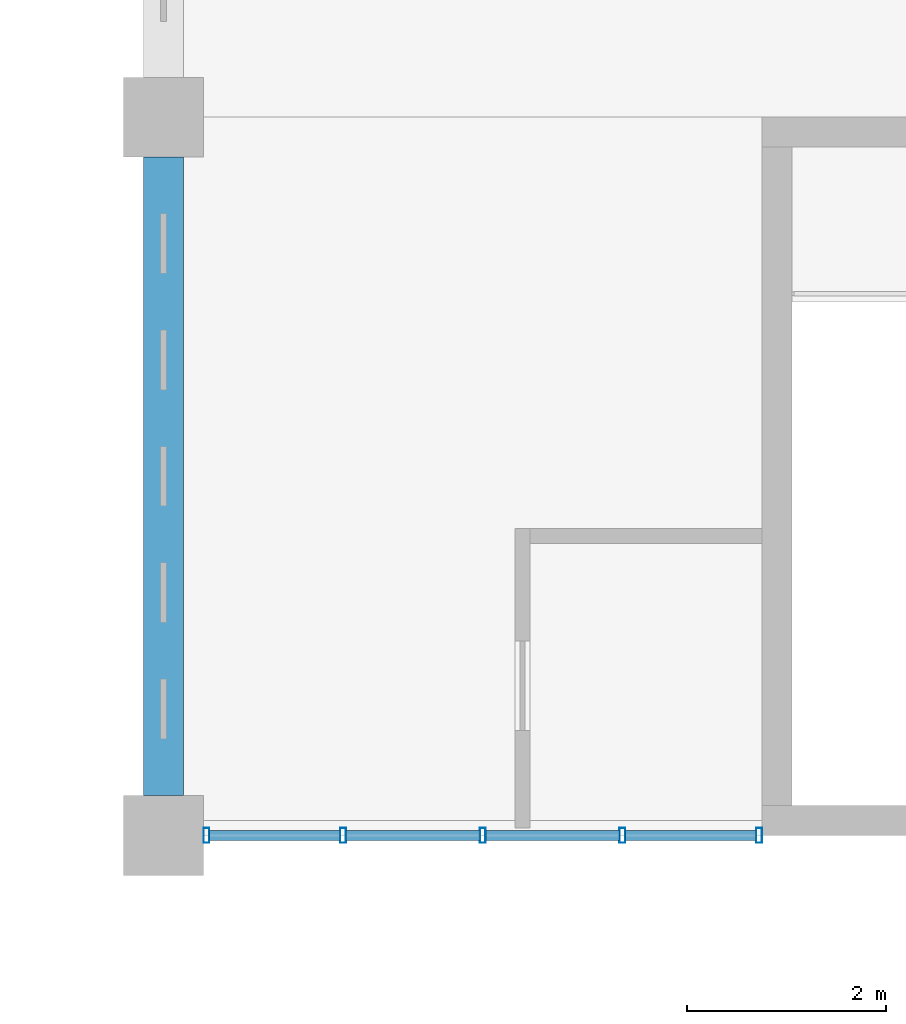
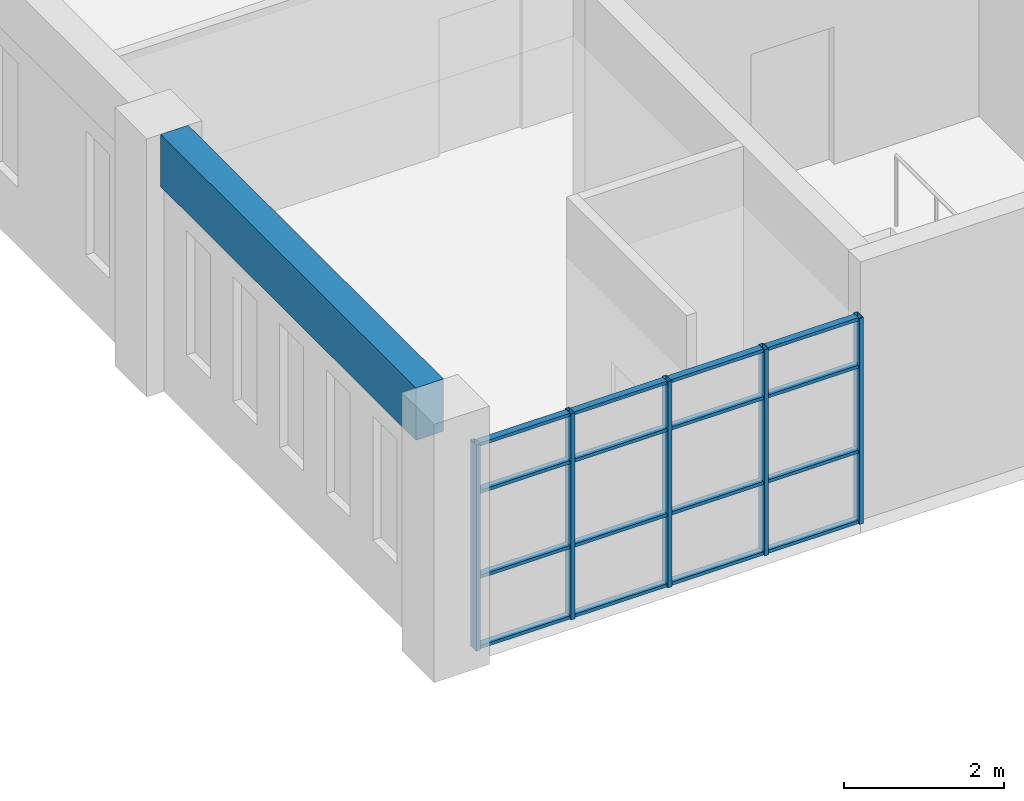
# One storey, part 3 of 51: 21 members, 1 beam, 1 element without a shape of its own.
"""IFC4 building model written with IfcOpenShell, lengths in metres."""

from ifc_helpers import new_model, si_unit, direction, frame, origin, origin_2d, place, context, subcontext, project, spatial, rectangle, hollow_rectangle, extrude, material, material_profile, profile_set, type_object, element, aggregate, save


model = new_model("IFC4")

# Units and contexts
model_context = context("Model", 3, precision=1e-05, world=origin(), true_north=direction((0.0, 1.0)))
body_context = subcontext(model_context, "Body", "Model", "MODEL_VIEW")
ifc_project = project(units=[si_unit("LENGTHUNIT", "METRE"), si_unit("AREAUNIT", "SQUARE_METRE"), si_unit("VOLUMEUNIT", "CUBIC_METRE"), si_unit("PLANEANGLEUNIT", "RADIAN"), si_unit("MASSUNIT", "GRAM", prefix="KILO")], contexts=[model_context])

# Site, building, storey
site_placement = place(None, origin())
site = spatial("IfcSite", under=ifc_project, at=site_placement, CompositionType="ELEMENT")
building_placement = place(site_placement, origin())
building = spatial("IfcBuilding", under=site, at=building_placement, Name="Laocheng Heights Fire and Rescue Headquarters", CompositionType="ELEMENT")
storey_placement = place(building_placement, frame((0.0, 0.0, 21.0)))
storey = spatial("IfcBuildingStorey", under=building, at=storey_placement, Name="L05", CompositionType="ELEMENT", Elevation=21.0)

# Curtain wall, members
ifc_material_1 = material(Name="Dark anodised aluminium unitised curtain wall, low-e double glazing", Category="aluminium")
curtain_wall_type = type_object("IfcCurtainWallType", Name="CW 5600 x 3150 HQ SOUTH RIBBON", PredefinedType="NOTDEFINED", material=ifc_material_1)
curtain_wall_placement = place(storey_placement, origin())
curtain_wall = element("IfcCurtainWall", 1, at=curtain_wall_placement, inside=storey, type_object=curtain_wall_type, Name="X14-X HQ SOUTH L05", PredefinedType="NOTDEFINED")
ifc_material_2 = material(Name="Dark anodised aluminium 6063-T5 extrusion", Category="aluminium")
ifc_material_profile_1 = material_profile(ifc_material_2, hollow_rectangle(XDim=0.14990234375, YDim=0.06005859375, WallThickness=0.0029296875, at=origin_2d()), Name="AL MULLION 150x60x3 HQ SOUTH RIBBON")
ifc_profile_set_1 = profile_set([ifc_material_profile_1], Name="Dark anodised aluminium 6063-T5 extrusion")
member_type_1 = type_object("IfcMemberType", Name="AL MULLION 150x60x3 HQ SOUTH RIBBON", PredefinedType="MULLION", material=ifc_profile_set_1)
member_1_placement = place(storey_placement, frame((36.429931640625, 50.39990234375, 0.0), z_axis=(0.0, 0.0, 1.0), x_axis=(0.0, 1.0, 0.0)))
member_1 = element("IfcMember", 2, at=member_1_placement, type_object=member_type_1, Name="X14-X mullion 1", PredefinedType="MULLION", context=body_context, shape_type="SweptSolid", body=[
    extrude(hollow_rectangle(XDim=0.14990234375, YDim=0.06005859375, WallThickness=0.0029296875, at=origin_2d()), origin(), (0.0, 0.0, 1.0), 3.14990234375),
])
member_2_placement = place(storey_placement, frame((37.800048828125, 50.39990234375, 0.0), z_axis=(0.0, 0.0, 1.0), x_axis=(0.0, 1.0, 0.0)))
member_2 = element("IfcMember", 3, at=member_2_placement, type_object=member_type_1, Name="X14-X mullion 2", PredefinedType="MULLION", context=body_context, shape_type="SweptSolid", body=[
    extrude(hollow_rectangle(XDim=0.14990234375, YDim=0.06005859375, WallThickness=0.0029296875, at=origin_2d()), origin(), (0.0, 0.0, 1.0), 3.14990234375),
])
member_3_placement = place(storey_placement, frame((39.199951171875, 50.39990234375, 0.0), z_axis=(0.0, 0.0, 1.0), x_axis=(0.0, 1.0, 0.0)))
member_3 = element("IfcMember", 4, at=member_3_placement, type_object=member_type_1, Name="X14-X mullion 3", PredefinedType="MULLION", context=body_context, shape_type="SweptSolid", body=[
    extrude(hollow_rectangle(XDim=0.14990234375, YDim=0.06005859375, WallThickness=0.0029296875, at=origin_2d()), origin(), (0.0, 0.0, 1.0), 3.14990234375),
])
member_4_placement = place(storey_placement, frame((40.60009765625, 50.39990234375, 0.0), z_axis=(0.0, 0.0, 1.0), x_axis=(0.0, 1.0, 0.0)))
member_4 = element("IfcMember", 5, at=member_4_placement, type_object=member_type_1, Name="X14-X mullion 4", PredefinedType="MULLION", context=body_context, shape_type="SweptSolid", body=[
    extrude(hollow_rectangle(XDim=0.14990234375, YDim=0.06005859375, WallThickness=0.0029296875, at=origin_2d()), origin(), (0.0, 0.0, 1.0), 3.14990234375),
])
member_5_placement = place(storey_placement, frame((41.969970703125, 50.39990234375, 0.0), z_axis=(0.0, 0.0, 1.0), x_axis=(0.0, 1.0, 0.0)))
member_5 = element("IfcMember", 6, at=member_5_placement, type_object=member_type_1, Name="X14-X mullion 5", PredefinedType="MULLION", context=body_context, shape_type="SweptSolid", body=[
    extrude(hollow_rectangle(XDim=0.14990234375, YDim=0.06005859375, WallThickness=0.0029296875, at=origin_2d()), origin(), (0.0, 0.0, 1.0), 3.14990234375),
])
ifc_material_3 = material(Name="Dark anodised aluminium 6063-T5 extrusion", Category="aluminium")
ifc_material_profile_2 = material_profile(ifc_material_3, hollow_rectangle(XDim=0.10009765625, YDim=0.050048828125, WallThickness=0.0029296875, at=origin_2d()), Name="AL TRANSOM 100x50x3 HQ SOUTH RIBBON")
ifc_profile_set_2 = profile_set([ifc_material_profile_2], Name="Dark anodised aluminium 6063-T5 extrusion")
member_type_2 = type_object("IfcMemberType", Name="AL TRANSOM 100x50x3 HQ SOUTH RIBBON", PredefinedType="USERDEFINED", material=ifc_profile_set_2)
member_6_placement = place(storey_placement, frame((36.4599609375, 50.39990234375, 0.02490234375), z_axis=(1.0, 0.0, 0.0), x_axis=(0.0, 1.0, 0.0)))
member_6 = element("IfcMember", 7, at=member_6_placement, type_object=member_type_2, Name="X14-X transom 1.1", ObjectType="TRANSOM", PredefinedType="USERDEFINED", context=body_context, shape_type="SweptSolid", body=[
    extrude(hollow_rectangle(XDim=0.10009765625, YDim=0.050048828125, WallThickness=0.0029296875, at=origin_2d()), origin(), (0.0, 0.0, 1.0), 1.31005859375),
])
member_7_placement = place(storey_placement, frame((36.4599609375, 50.39990234375, 1.10009765625), z_axis=(1.0, 0.0, 0.0), x_axis=(0.0, 1.0, 0.0)))
member_7 = element("IfcMember", 8, at=member_7_placement, type_object=member_type_2, Name="X14-X transom 1.2", ObjectType="TRANSOM", PredefinedType="USERDEFINED", context=body_context, shape_type="SweptSolid", body=[
    extrude(hollow_rectangle(XDim=0.10009765625, YDim=0.050048828125, WallThickness=0.0029296875, at=origin_2d()), origin(), (0.0, 0.0, 1.0), 1.31005859375),
])
member_8_placement = place(storey_placement, frame((36.4599609375, 50.39990234375, 2.39990234375), z_axis=(1.0, 0.0, 0.0), x_axis=(0.0, 1.0, 0.0)))
member_8 = element("IfcMember", 9, at=member_8_placement, type_object=member_type_2, Name="X14-X transom 1.3", ObjectType="TRANSOM", PredefinedType="USERDEFINED", context=body_context, shape_type="SweptSolid", body=[
    extrude(hollow_rectangle(XDim=0.10009765625, YDim=0.050048828125, WallThickness=0.0029296875, at=origin_2d()), origin(), (0.0, 0.0, 1.0), 1.31005859375),
])
member_9_placement = place(storey_placement, frame((36.4599609375, 50.39990234375, 3.125), z_axis=(1.0, 0.0, 0.0), x_axis=(0.0, 1.0, 0.0)))
member_9 = element("IfcMember", 10, at=member_9_placement, type_object=member_type_2, Name="X14-X transom 1.4", ObjectType="TRANSOM", PredefinedType="USERDEFINED", context=body_context, shape_type="SweptSolid", body=[
    extrude(hollow_rectangle(XDim=0.10009765625, YDim=0.050048828125, WallThickness=0.0029296875, at=origin_2d()), origin(), (0.0, 0.0, 1.0), 1.31005859375),
])
member_10_placement = place(storey_placement, frame((37.830078125, 50.39990234375, 0.02490234375), z_axis=(1.0, 0.0, 0.0), x_axis=(0.0, 1.0, 0.0)))
member_10 = element("IfcMember", 11, at=member_10_placement, type_object=member_type_2, Name="X14-X transom 2.1", ObjectType="TRANSOM", PredefinedType="USERDEFINED", context=body_context, shape_type="SweptSolid", body=[
    extrude(hollow_rectangle(XDim=0.10009765625, YDim=0.050048828125, WallThickness=0.0029296875, at=origin_2d()), origin(), (0.0, 0.0, 1.0), 1.33984375),
])
member_11_placement = place(storey_placement, frame((37.830078125, 50.39990234375, 1.10009765625), z_axis=(1.0, 0.0, 0.0), x_axis=(0.0, 1.0, 0.0)))
member_11 = element("IfcMember", 12, at=member_11_placement, type_object=member_type_2, Name="X14-X transom 2.2", ObjectType="TRANSOM", PredefinedType="USERDEFINED", context=body_context, shape_type="SweptSolid", body=[
    extrude(hollow_rectangle(XDim=0.10009765625, YDim=0.050048828125, WallThickness=0.0029296875, at=origin_2d()), origin(), (0.0, 0.0, 1.0), 1.33984375),
])
member_12_placement = place(storey_placement, frame((37.830078125, 50.39990234375, 2.39990234375), z_axis=(1.0, 0.0, 0.0), x_axis=(0.0, 1.0, 0.0)))
member_12 = element("IfcMember", 13, at=member_12_placement, type_object=member_type_2, Name="X14-X transom 2.3", ObjectType="TRANSOM", PredefinedType="USERDEFINED", context=body_context, shape_type="SweptSolid", body=[
    extrude(hollow_rectangle(XDim=0.10009765625, YDim=0.050048828125, WallThickness=0.0029296875, at=origin_2d()), origin(), (0.0, 0.0, 1.0), 1.33984375),
])
member_13_placement = place(storey_placement, frame((37.830078125, 50.39990234375, 3.125), z_axis=(1.0, 0.0, 0.0), x_axis=(0.0, 1.0, 0.0)))
member_13 = element("IfcMember", 14, at=member_13_placement, type_object=member_type_2, Name="X14-X transom 2.4", ObjectType="TRANSOM", PredefinedType="USERDEFINED", context=body_context, shape_type="SweptSolid", body=[
    extrude(hollow_rectangle(XDim=0.10009765625, YDim=0.050048828125, WallThickness=0.0029296875, at=origin_2d()), origin(), (0.0, 0.0, 1.0), 1.33984375),
])
member_14_placement = place(storey_placement, frame((39.22998046875, 50.39990234375, 0.02490234375), z_axis=(1.0, 0.0, 0.0), x_axis=(0.0, 1.0, 0.0)))
member_14 = element("IfcMember", 15, at=member_14_placement, type_object=member_type_2, Name="X14-X transom 3.1", ObjectType="TRANSOM", PredefinedType="USERDEFINED", context=body_context, shape_type="SweptSolid", body=[
    extrude(hollow_rectangle(XDim=0.10009765625, YDim=0.050048828125, WallThickness=0.0029296875, at=origin_2d()), origin(), (0.0, 0.0, 1.0), 1.340087890625),
])
member_15_placement = place(storey_placement, frame((39.22998046875, 50.39990234375, 1.10009765625), z_axis=(1.0, 0.0, 0.0), x_axis=(0.0, 1.0, 0.0)))
member_15 = element("IfcMember", 16, at=member_15_placement, type_object=member_type_2, Name="X14-X transom 3.2", ObjectType="TRANSOM", PredefinedType="USERDEFINED", context=body_context, shape_type="SweptSolid", body=[
    extrude(hollow_rectangle(XDim=0.10009765625, YDim=0.050048828125, WallThickness=0.0029296875, at=origin_2d()), origin(), (0.0, 0.0, 1.0), 1.340087890625),
])
member_16_placement = place(storey_placement, frame((39.22998046875, 50.39990234375, 2.39990234375), z_axis=(1.0, 0.0, 0.0), x_axis=(0.0, 1.0, 0.0)))
member_16 = element("IfcMember", 17, at=member_16_placement, type_object=member_type_2, Name="X14-X transom 3.3", ObjectType="TRANSOM", PredefinedType="USERDEFINED", context=body_context, shape_type="SweptSolid", body=[
    extrude(hollow_rectangle(XDim=0.10009765625, YDim=0.050048828125, WallThickness=0.0029296875, at=origin_2d()), origin(), (0.0, 0.0, 1.0), 1.340087890625),
])
member_17_placement = place(storey_placement, frame((39.22998046875, 50.39990234375, 3.125), z_axis=(1.0, 0.0, 0.0), x_axis=(0.0, 1.0, 0.0)))
member_17 = element("IfcMember", 18, at=member_17_placement, type_object=member_type_2, Name="X14-X transom 3.4", ObjectType="TRANSOM", PredefinedType="USERDEFINED", context=body_context, shape_type="SweptSolid", body=[
    extrude(hollow_rectangle(XDim=0.10009765625, YDim=0.050048828125, WallThickness=0.0029296875, at=origin_2d()), origin(), (0.0, 0.0, 1.0), 1.340087890625),
])
member_18_placement = place(storey_placement, frame((40.6298828125, 50.39990234375, 0.02490234375), z_axis=(1.0, 0.0, 0.0), x_axis=(0.0, 1.0, 0.0)))
member_18 = element("IfcMember", 19, at=member_18_placement, type_object=member_type_2, Name="X14-X transom 4.1", ObjectType="TRANSOM", PredefinedType="USERDEFINED", context=body_context, shape_type="SweptSolid", body=[
    extrude(hollow_rectangle(XDim=0.10009765625, YDim=0.050048828125, WallThickness=0.0029296875, at=origin_2d()), origin(), (0.0, 0.0, 1.0), 1.31005859375),
])
member_19_placement = place(storey_placement, frame((40.6298828125, 50.39990234375, 1.10009765625), z_axis=(1.0, 0.0, 0.0), x_axis=(0.0, 1.0, 0.0)))
member_19 = element("IfcMember", 20, at=member_19_placement, type_object=member_type_2, Name="X14-X transom 4.2", ObjectType="TRANSOM", PredefinedType="USERDEFINED", context=body_context, shape_type="SweptSolid", body=[
    extrude(hollow_rectangle(XDim=0.10009765625, YDim=0.050048828125, WallThickness=0.0029296875, at=origin_2d()), origin(), (0.0, 0.0, 1.0), 1.31005859375),
])
member_20_placement = place(storey_placement, frame((40.6298828125, 50.39990234375, 2.39990234375), z_axis=(1.0, 0.0, 0.0), x_axis=(0.0, 1.0, 0.0)))
member_20 = element("IfcMember", 21, at=member_20_placement, type_object=member_type_2, Name="X14-X transom 4.3", ObjectType="TRANSOM", PredefinedType="USERDEFINED", context=body_context, shape_type="SweptSolid", body=[
    extrude(hollow_rectangle(XDim=0.10009765625, YDim=0.050048828125, WallThickness=0.0029296875, at=origin_2d()), origin(), (0.0, 0.0, 1.0), 1.31005859375),
])
member_21_placement = place(storey_placement, frame((40.6298828125, 50.39990234375, 3.125), z_axis=(1.0, 0.0, 0.0), x_axis=(0.0, 1.0, 0.0)))
member_21 = element("IfcMember", 22, at=member_21_placement, type_object=member_type_2, Name="X14-X transom 4.4", ObjectType="TRANSOM", PredefinedType="USERDEFINED", context=body_context, shape_type="SweptSolid", body=[
    extrude(hollow_rectangle(XDim=0.10009765625, YDim=0.050048828125, WallThickness=0.0029296875, at=origin_2d()), origin(), (0.0, 0.0, 1.0), 1.31005859375),
])
aggregate(curtain_wall, [member_1, member_2, member_3, member_4, member_5, member_6, member_7, member_8, member_9, member_10, member_11, member_12, member_13, member_14, member_15, member_16, member_17, member_18, member_19, member_20, member_21])

# Beam
ifc_material_4 = material(Name="Concrete C40", Category="concrete")
ifc_material_profile_3 = material_profile(ifc_material_4, rectangle(XDim=0.39990234375, YDim=0.800048828125, at=origin_2d()), Name="RC BEAM 400x800 HQ ROOF")
ifc_profile_set_3 = profile_set([ifc_material_profile_3], Name="Concrete C40")
beam_type = type_object("IfcBeamType", Name="RC BEAM 400x800 HQ ROOF", PredefinedType="BEAM", material=ifc_profile_set_3)
beam_placement = place(storey_placement, frame((36.0, 50.800048828125, 3.550048828125), z_axis=(0.0, 1.0, 0.0), x_axis=(-1.0, 0.0, 0.0)))
element("IfcBeam", 23, at=beam_placement, inside=storey, type_object=beam_type, Name="HQ beam L05", PredefinedType="BEAM", context=body_context, shape_type="SweptSolid", body=[
    extrude(rectangle(XDim=0.39990234375, YDim=0.800048828125, at=origin_2d()), origin(), (0.0, 0.0, 1.0), 6.39990234375),
])

save(model, "model.ifc")
